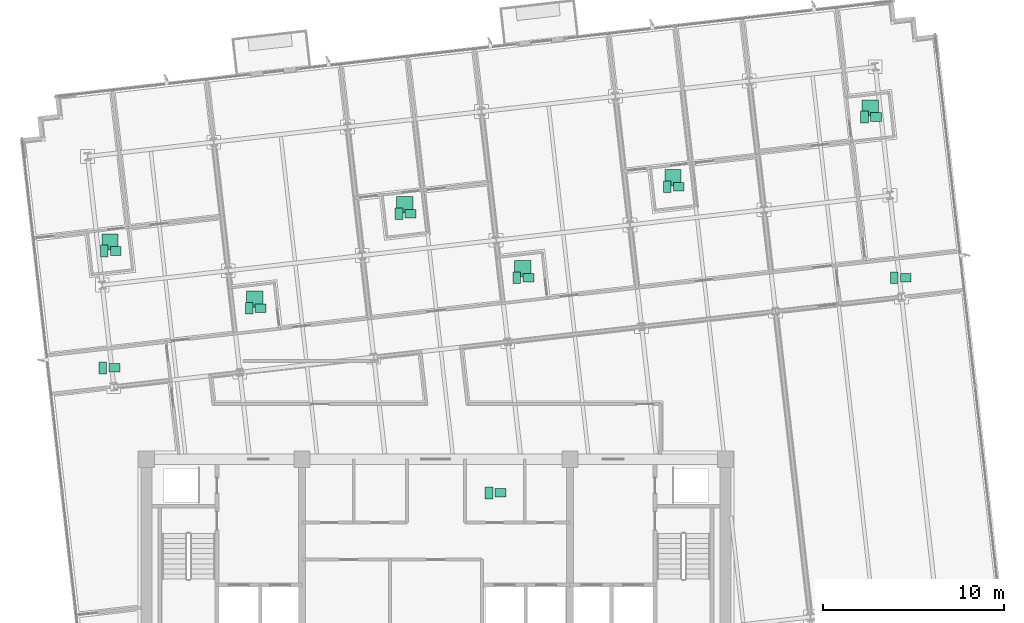
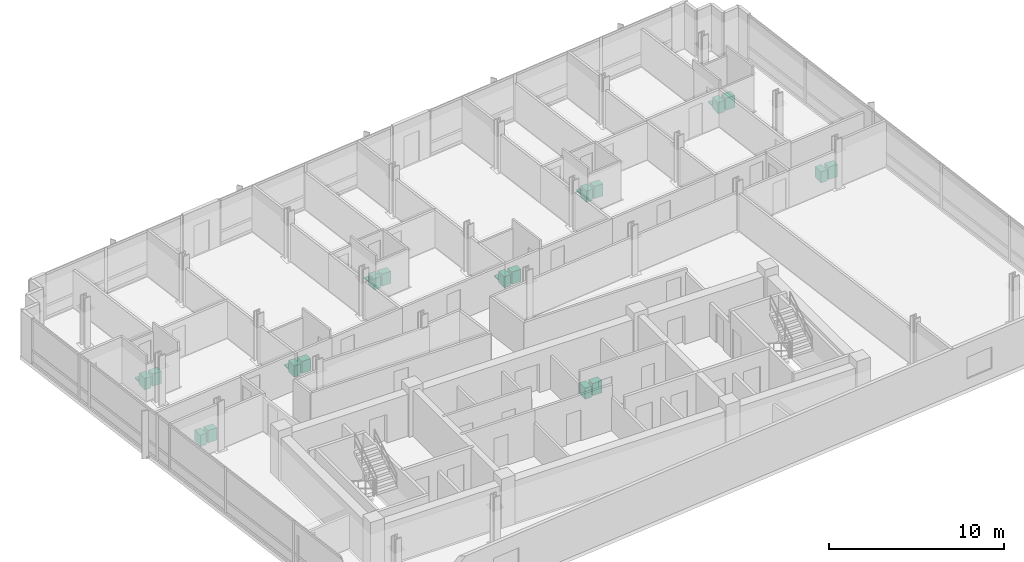
# One storey, part 17 of 17: 24 sanitary terminals.
"""IFC4 building model written with IfcOpenShell, lengths in metres."""

from ifc_helpers import new_model, si_unit, direction, frame, origin, origin_2d, place, context, subcontext, project, spatial, rectangle, extrude, material, type_object, element, save


model = new_model("IFC4")

# Units and contexts
model_context = context("Model", 3, precision=1e-05, world=origin(), true_north=direction((0.0, 1.0)))
body_context = subcontext(model_context, "Body", "Model", "MODEL_VIEW")
ifc_project = project(units=[si_unit("LENGTHUNIT", "METRE"), si_unit("AREAUNIT", "SQUARE_METRE"), si_unit("VOLUMEUNIT", "CUBIC_METRE"), si_unit("PLANEANGLEUNIT", "RADIAN"), si_unit("MASSUNIT", "GRAM", prefix="KILO")], contexts=[model_context])

# Site, building, storey
site_placement = place(None, origin())
site = spatial("IfcSite", under=ifc_project, at=site_placement, CompositionType="ELEMENT")
building_placement = place(site_placement, origin())
building = spatial("IfcBuilding", under=site, at=building_placement, Name="Solmavex Isthmus Hotel", CompositionType="ELEMENT")
storey_placement = place(building_placement, frame((0.0, 0.0, 198.60009765625)))
storey = spatial("IfcBuildingStorey", under=building, at=storey_placement, Name="L53", CompositionType="ELEMENT", Elevation=198.60009765625)

# Sanitary terminals
ifc_material = material(Name="Vitreous china ceramic", Category="ceramic")
sanitary_terminal_type_1 = type_object("IfcSanitaryTerminalType", Name="SAN-BASIN", PredefinedType="WASHHANDBASIN", material=ifc_material)
for number, where, z_axis, x_axis, name in (
    (1, (3.570068359375, -4.360107421875, -0.000244140625), (0.0, 0.0, 1.0), (1.0, 0.0, 0.0), "Vanity Washbasin L53-246"),
    (2, (-17.68798828125, 9.004638671875, -0.000244140625), (0.0, 0.0, 1.0), (1.0, 0.0, 0.0), "Vanity Washbasin L53-247"),
    (3, (-9.6845703125, 5.84228515625, -0.000244140625), (0.0, 0.0, 1.0), (1.0, 0.0, 0.0), "Vanity Washbasin L53-248"),
    (4, (-1.4033203125, 11.061279296875, -0.000244140625), (0.0, 0.0, 1.0), (1.0, 0.0, 0.0), "Vanity Washbasin L53-249"),
    (5, (5.11181640625, 7.5283203125, -0.000244140625), (0.0, 0.0, 1.0), (1.0, 0.0, 0.0), "Vanity Washbasin L53-250"),
    (6, (13.415771484375, 12.548583984375, -0.000244140625), (0.0, 0.0, 1.0), (1.0, 0.0, 0.0), "Vanity Washbasin L53-251"),
    (7, (24.31591796875, 16.4072265625, -0.000244140625), (0.0, 0.0, 1.0), (1.0, 0.0, 0.0), "Vanity Washbasin L53-252"),
    (8, (-17.761474609375, 2.546875, -0.000244140625), (0.0, 0.0, 1.0), (1.0, 0.0, 0.0), "Vanity Washbasin L53-253"),
    (9, (25.956787109375, 7.52783203125, -0.000244140625), (0.0, 0.0, 1.0), (1.0, 0.0, 0.0), "Vanity Washbasin L53-254"),
):
    element("IfcSanitaryTerminal", number, at=place(storey_placement, frame(where, z_axis=z_axis, x_axis=x_axis)), inside=storey, type_object=sanitary_terminal_type_1, Name=name, PredefinedType="WASHHANDBASIN", context=body_context, shape_type="SweptSolid", body=[
        extrude(rectangle(XDim=0.60009765625, YDim=0.47998046875, at=origin_2d()), origin(), (0.0, 0.0, 1.0), 0.85009765625),
    ])
sanitary_terminal_type_2 = type_object("IfcSanitaryTerminalType", Name="SAN-SHOWER", PredefinedType="SHOWER", material=ifc_material)
for number, where, z_axis, x_axis, name in (
    (10, (-18.008056640625, 9.504638671875, -0.000244140625), (0.0, 0.0, 1.0), (1.0, 0.0, 0.0), "Walk-In Shower L53-247"),
    (11, (-10.004638671875, 6.34228515625, -0.000244140625), (0.0, 0.0, 1.0), (1.0, 0.0, 0.0), "Walk-In Shower L53-248"),
    (12, (-1.72314453125, 11.561279296875, -0.000244140625), (0.0, 0.0, 1.0), (1.0, 0.0, 0.0), "Walk-In Shower L53-249"),
    (13, (4.791748046875, 8.0283203125, -0.000244140625), (0.0, 0.0, 1.0), (1.0, 0.0, 0.0), "Walk-In Shower L53-250"),
    (14, (13.095703125, 13.048583984375, -0.000244140625), (0.0, 0.0, 1.0), (1.0, 0.0, 0.0), "Walk-In Shower L53-251"),
    (15, (23.99609375, 16.9072265625, -0.000244140625), (0.0, 0.0, 1.0), (1.0, 0.0, 0.0), "Walk-In Shower L53-252"),
):
    element("IfcSanitaryTerminal", number, at=place(storey_placement, frame(where, z_axis=z_axis, x_axis=x_axis)), inside=storey, type_object=sanitary_terminal_type_2, Name=name, PredefinedType="SHOWER", context=body_context, shape_type="SweptSolid", body=[
        extrude(rectangle(XDim=0.89990234375, YDim=0.89990234375, at=origin_2d()), origin(), (0.0, 0.0, 1.0), 0.080078125),
    ])
sanitary_terminal_type_3 = type_object("IfcSanitaryTerminalType", Name="SAN-WC-SUITE", PredefinedType="TOILETPAN", material=ifc_material)
for number, where, z_axis, x_axis, name in (
    (16, (2.929931640625, -4.360107421875, 0.0), (0.0, 0.0, 1.0), (1.0, 0.0, 0.0), "Water Closet L53-246"),
    (17, (-18.327880859375, 9.004638671875, 0.0), (0.0, 0.0, 1.0), (1.0, 0.0, 0.0), "Water Closet L53-247"),
    (18, (-10.32470703125, 5.84228515625, 0.0), (0.0, 0.0, 1.0), (1.0, 0.0, 0.0), "Water Closet L53-248"),
    (19, (-2.043212890625, 11.061279296875, 0.0), (0.0, 0.0, 1.0), (1.0, 0.0, 0.0), "Water Closet L53-249"),
    (20, (4.4716796875, 7.5283203125, 0.0), (0.0, 0.0, 1.0), (1.0, 0.0, 0.0), "Water Closet L53-250"),
    (21, (12.775634765625, 12.548583984375, 0.0), (0.0, 0.0, 1.0), (1.0, 0.0, 0.0), "Water Closet L53-251"),
    (22, (23.676025390625, 16.4072265625, 0.0), (0.0, 0.0, 1.0), (1.0, 0.0, 0.0), "Water Closet L53-252"),
    (23, (-18.401611328125, 2.546875, 0.0), (0.0, 0.0, 1.0), (1.0, 0.0, 0.0), "Water Closet L53-253"),
    (24, (25.316650390625, 7.52783203125, 0.0), (0.0, 0.0, 1.0), (1.0, 0.0, 0.0), "Water Closet L53-254"),
):
    element("IfcSanitaryTerminal", number, at=place(storey_placement, frame(where, z_axis=z_axis, x_axis=x_axis)), inside=storey, type_object=sanitary_terminal_type_3, Name=name, PredefinedType="TOILETPAN", context=body_context, shape_type="SweptSolid", body=[
        extrude(rectangle(XDim=0.419921875, YDim=0.64990234375, at=origin_2d()), origin(), (0.0, 0.0, 1.0), 0.780029296875),
    ])

save(model, "model.ifc")
